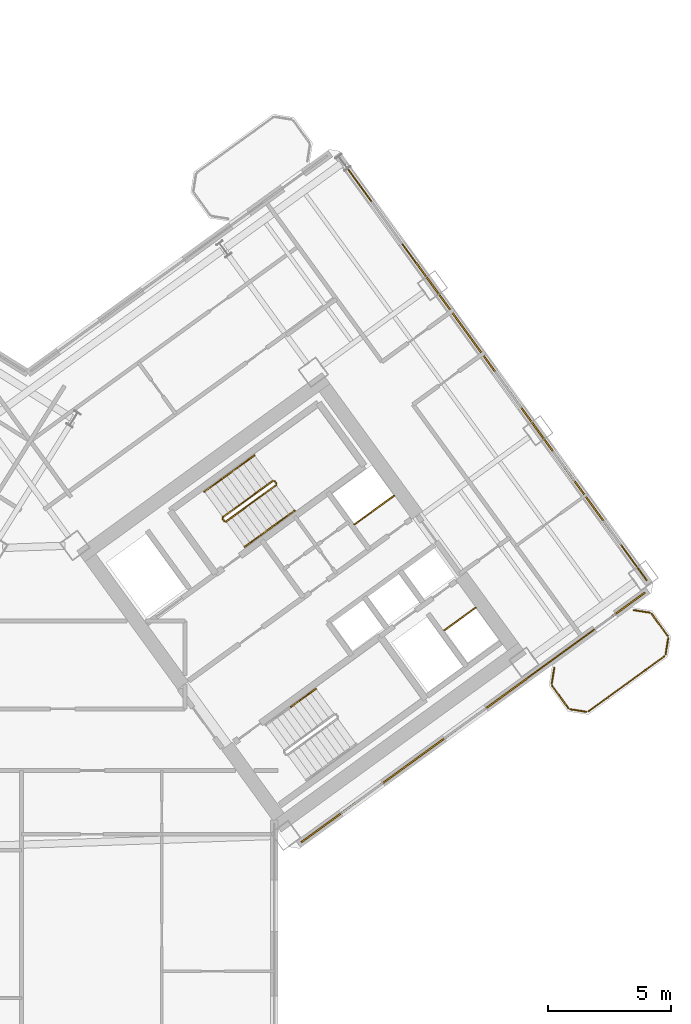
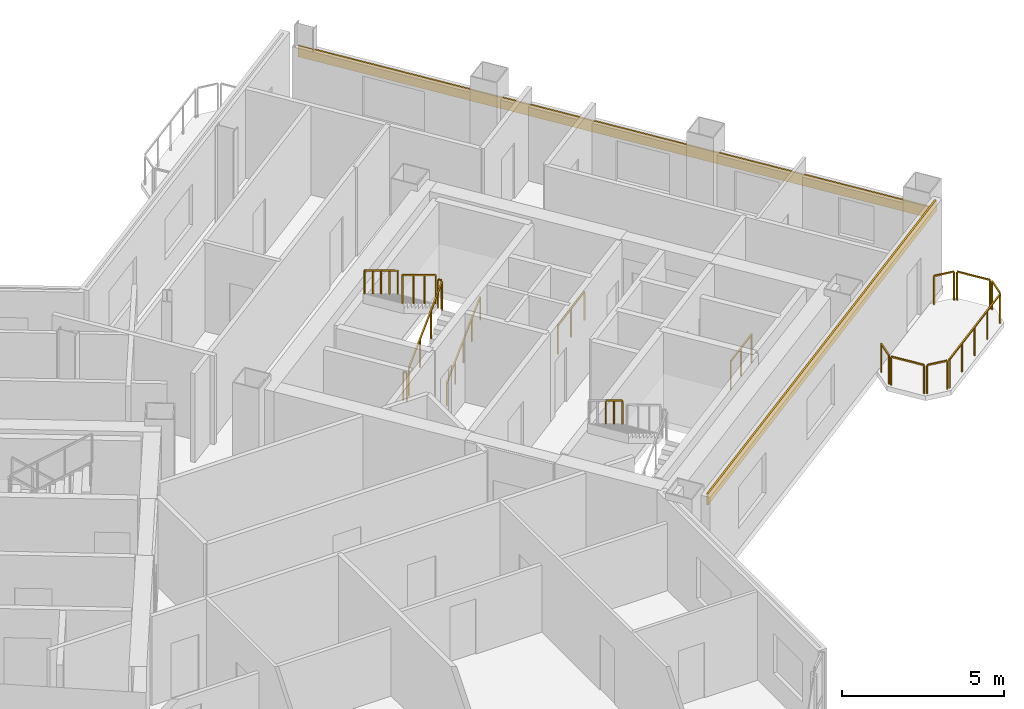
# One storey, part 20 of 21: 18 railings, 2 coverings.
"""IFC4 building model written with IfcOpenShell, lengths in metres."""

from ifc_helpers import new_model, si_unit, direction, frame, origin, origin_2d, place, context, subcontext, project, spatial, rectangle, extrude, source, transform, mapped, material, layer, layer_set, type_object, element, save


model = new_model("IFC4")

# Units and contexts
model_context = context("Model", 3, precision=1e-05, world=origin(), true_north=direction((0.0, 1.0)))
body_context = subcontext(model_context, "Body", "Model", "MODEL_VIEW")
ifc_project = project(units=[si_unit("LENGTHUNIT", "METRE"), si_unit("AREAUNIT", "SQUARE_METRE"), si_unit("VOLUMEUNIT", "CUBIC_METRE"), si_unit("PLANEANGLEUNIT", "RADIAN"), si_unit("MASSUNIT", "GRAM", prefix="KILO")], contexts=[model_context])

# Site, building, storey
site_placement = place(None, origin())
site = spatial("IfcSite", under=ifc_project, at=site_placement, CompositionType="ELEMENT")
building_placement = place(site_placement, origin())
building = spatial("IfcBuilding", under=site, at=building_placement, Name="Tlacorven Tower", CompositionType="ELEMENT")
storey_placement = place(building_placement, frame((0.0, 0.0, 105.300048828125)))
storey = spatial("IfcBuildingStorey", under=building, at=storey_placement, Name="L26", CompositionType="ELEMENT", Elevation=105.300048828125)

# Railings
ifc_material_1 = material(Name="Aluminium and painted steel balustrade", Category="steel")
railing_type_1 = type_object("IfcRailingType", Name="RL-GRD-1100", PredefinedType="GUARDRAIL", material=ifc_material_1)
shared_shape_1 = source(origin(), body_context, "Body", "SweptSolid", [
    extrude(rectangle(XDim=0.048095703125, YDim=0.048095703125, at=origin_2d()), frame((0.0, 0.0, 1.076171875), z_axis=(0.808947177504, 0.587881334972, 0.0), x_axis=(-0.587881334972, 0.808947177504, 0.0)), (0.0, 0.0, 1.0), 2.0),
    extrude(rectangle(XDim=0.0419921875, YDim=0.0419921875, at=origin_2d()), origin(), (0.0, 0.0, 1.0), 1.052001953125),
    extrude(rectangle(XDim=0.0419921875, YDim=0.0419921875, at=origin_2d()), frame((0.80908203125, 0.587890625, 0.0)), (0.0, 0.0, 1.0), 1.052001953125),
    extrude(rectangle(XDim=0.0419921875, YDim=0.0419921875, at=origin_2d()), frame((1.617919921875, 1.17578125, 0.0)), (0.0, 0.0, 1.0), 1.052001953125),
])
railing_1_placement = place(storey_placement, frame((55.506103515625, 25.438232421875, 0.0)))
element("IfcRailing", 1, at=railing_1_placement, inside=storey, type_object=railing_type_1, Name="L26 Electrical Riser E Shaft Guard 1", PredefinedType="GUARDRAIL", context=body_context, shape_type="MappedRepresentation", body=[
    mapped(shared_shape_1, transform((0.0, 0.0, 0.0), scale=1.0)),
])
shared_shape_2 = source(origin(), body_context, "Body", "SweptSolid", [
    extrude(rectangle(XDim=0.048095703125, YDim=0.048095703125, at=origin_2d()), frame((0.0, 0.0, 1.076171875), z_axis=(0.809029975545, 0.58776738483, 0.0), x_axis=(-0.58776738483, 0.809029975545, 0.0)), (0.0, 0.0, 1.0), 1.580078125),
    extrude(rectangle(XDim=0.0419921875, YDim=0.0419921875, at=origin_2d()), origin(), (0.0, 0.0, 1.0), 1.052001953125),
    extrude(rectangle(XDim=0.0419921875, YDim=0.0419921875, at=origin_2d()), frame((0.63916015625, 0.46435546875, 0.0)), (0.0, 0.0, 1.0), 1.052001953125),
    extrude(rectangle(XDim=0.0419921875, YDim=0.0419921875, at=origin_2d()), frame((1.2783203125, 0.9287109375, 0.0)), (0.0, 0.0, 1.0), 1.052001953125),
])
railing_2_placement = place(storey_placement, frame((59.160888671875, 21.122314453125, 0.0)))
element("IfcRailing", 2, at=railing_2_placement, inside=storey, type_object=railing_type_1, Name="L26 Smoke Riser E Shaft Guard 1", PredefinedType="GUARDRAIL", context=body_context, shape_type="MappedRepresentation", body=[
    mapped(shared_shape_2, transform((0.0, 0.0, 0.0), scale=1.0)),
])
railing_type_2 = type_object("IfcRailingType", Name="RL-BAL-1100", PredefinedType="BALUSTRADE", material=ifc_material_1)
shared_shape_3 = source(origin(), body_context, "Body", "SweptSolid", [
    extrude(rectangle(XDim=0.048095703125, YDim=0.048095703125, at=origin_2d()), frame((0.0, 0.0, 1.076171875), z_axis=(0.156602868908, 0.987661653326, 0.0), x_axis=(-0.987661653326, 0.156602868908, 0.0)), (0.0, 0.0, 1.0), 0.665771484375),
    extrude(rectangle(XDim=0.0419921875, YDim=0.0419921875, at=origin_2d()), origin(), (0.0, 0.0, 1.0), 1.052001953125),
    extrude(rectangle(XDim=0.0419921875, YDim=0.0419921875, at=origin_2d()), frame((0.104248046875, 0.657470703125, 0.0)), (0.0, 0.0, 1.0), 1.052001953125),
])
railing_3_placement = place(storey_placement, frame((63.539306640625, 18.949951171875, 0.0)))
element("IfcRailing", 3, at=railing_3_placement, inside=storey, type_object=railing_type_2, Name="BAL-L26-E-OUT Guard Railing 3", PredefinedType="BALUSTRADE", context=body_context, shape_type="MappedRepresentation", body=[
    mapped(shared_shape_3, transform((0.0, 0.0, 0.0), scale=1.0)),
])
shared_shape_4 = source(origin(), body_context, "Body", "SweptSolid", [
    extrude(rectangle(XDim=0.048095703125, YDim=0.048095703125, at=origin_2d()), frame((0.0, 0.0, 1.076171875), z_axis=(0.58788449985, -0.808944877501, 0.0), x_axis=(0.808944877501, 0.58788449985, 0.0)), (0.0, 0.0, 1.0), 1.112060546875),
    extrude(rectangle(XDim=0.0419921875, YDim=0.0419921875, at=origin_2d()), origin(), (0.0, 0.0, 1.0), 1.052001953125),
    extrude(rectangle(XDim=0.0419921875, YDim=0.0419921875, at=origin_2d()), frame((0.65380859375, -0.899658203125, 0.0)), (0.0, 0.0, 1.0), 1.052001953125),
])
railing_4_placement = place(storey_placement, frame((67.60595703125, 21.799072265625, 0.0)))
element("IfcRailing", 4, at=railing_4_placement, inside=storey, type_object=railing_type_2, Name="BAL-L26-E-OUT Guard Railing 5", PredefinedType="BALUSTRADE", context=body_context, shape_type="MappedRepresentation", body=[
    mapped(shared_shape_4, transform((0.0, 0.0, 0.0), scale=1.0)),
])
shared_shape_5 = source(origin(), body_context, "Body", "SweptSolid", [
    extrude(rectangle(XDim=0.048095703125, YDim=0.048095703125, at=origin_2d()), frame((0.0, 0.0, 1.076171875), z_axis=(-0.809018102573, -0.587783726986, 0.0), x_axis=(0.587783726986, -0.809018102573, 0.0)), (0.0, 0.0, 1.0), 3.817138671875),
    extrude(rectangle(XDim=0.0419921875, YDim=0.0419921875, at=origin_2d()), origin(), (0.0, 0.0, 1.0), 1.052001953125),
    extrude(rectangle(XDim=0.0419921875, YDim=0.0419921875, at=origin_2d()), frame((-0.77197265625, -0.56103515625, 0.0)), (0.0, 0.0, 1.0), 1.052001953125),
    extrude(rectangle(XDim=0.0419921875, YDim=0.0419921875, at=origin_2d()), frame((-1.5439453125, -1.121826171875, 0.0)), (0.0, 0.0, 1.0), 1.052001953125),
    extrude(rectangle(XDim=0.0419921875, YDim=0.0419921875, at=origin_2d()), frame((-2.316162109375, -1.6826171875, 0.0)), (0.0, 0.0, 1.0), 1.052001953125),
    extrude(rectangle(XDim=0.0419921875, YDim=0.0419921875, at=origin_2d()), frame((-3.088134765625, -2.24365234375, 0.0)), (0.0, 0.0, 1.0), 1.052001953125),
])
railing_5_placement = place(storey_placement, frame((68.12890625, 20.0732421875, 0.0)))
element("IfcRailing", 5, at=railing_5_placement, inside=storey, type_object=railing_type_2, Name="BAL-L26-E-OUT Guard Railing 7", PredefinedType="BALUSTRADE", context=body_context, shape_type="MappedRepresentation", body=[
    mapped(shared_shape_5, transform((0.0, 0.0, 0.0), scale=1.0)),
])
shared_shape_6 = source(origin(), body_context, "Body", "SweptSolid", [
    extrude(rectangle(XDim=0.048095703125, YDim=0.048095703125, at=origin_2d()), frame((0.0, 0.0, 1.076171875), z_axis=(-0.987718317463, 0.156245081039, 0.0), x_axis=(-0.156245081039, -0.987718317463, 0.0)), (0.0, 0.0, 1.0), 0.66552734375),
    extrude(rectangle(XDim=0.0419921875, YDim=0.0419921875, at=origin_2d()), origin(), (0.0, 0.0, 1.0), 1.052001953125),
    extrude(rectangle(XDim=0.0419921875, YDim=0.0419921875, at=origin_2d()), frame((-0.657470703125, 0.10400390625, 0.0)), (0.0, 0.0, 1.0), 1.052001953125),
])
railing_6_placement = place(storey_placement, frame((64.950927734375, 17.80810546875, 0.0)))
element("IfcRailing", 6, at=railing_6_placement, inside=storey, type_object=railing_type_2, Name="BAL-L26-E-OUT Guard Railing 1", PredefinedType="BALUSTRADE", context=body_context, shape_type="MappedRepresentation", body=[
    mapped(shared_shape_6, transform((0.0, 0.0, 0.0), scale=1.0)),
])
shared_shape_7 = source(origin(), body_context, "Body", "SweptSolid", [
    extrude(rectangle(XDim=0.048095703125, YDim=0.048095703125, at=origin_2d()), frame((0.0, 0.0, 1.076171875), z_axis=(-0.587740817519, 0.809049276263, 0.0), x_axis=(-0.809049276263, -0.587740817519, 0.0)), (0.0, 0.0, 1.0), 1.112060546875),
    extrude(rectangle(XDim=0.0419921875, YDim=0.0419921875, at=origin_2d()), origin(), (0.0, 0.0, 1.0), 1.052001953125),
    extrude(rectangle(XDim=0.0419921875, YDim=0.0419921875, at=origin_2d()), frame((-0.653564453125, 0.899658203125, 0.0)), (0.0, 0.0, 1.0), 1.052001953125),
])
railing_7_placement = place(storey_placement, frame((64.214599609375, 17.96044921875, 0.0)))
element("IfcRailing", 7, at=railing_7_placement, inside=storey, type_object=railing_type_2, Name="BAL-L26-E-OUT Guard Railing 2", PredefinedType="BALUSTRADE", context=body_context, shape_type="MappedRepresentation", body=[
    mapped(shared_shape_7, transform((0.0, 0.0, 0.0), scale=1.0)),
])
shared_shape_8 = source(origin(), body_context, "Body", "SweptSolid", [
    extrude(rectangle(XDim=0.048095703125, YDim=0.048095703125, at=origin_2d()), frame((0.0, 0.0, 1.076171875), z_axis=(-0.156245081039, -0.987718317463, 0.0), x_axis=(0.987718317463, -0.156245081039, 0.0)), (0.0, 0.0, 1.0), 0.66552734375),
    extrude(rectangle(XDim=0.0419921875, YDim=0.0419921875, at=origin_2d()), origin(), (0.0, 0.0, 1.0), 1.052001953125),
    extrude(rectangle(XDim=0.0419921875, YDim=0.0419921875, at=origin_2d()), frame((-0.10400390625, -0.657470703125, 0.0)), (0.0, 0.0, 1.0), 1.052001953125),
])
railing_8_placement = place(storey_placement, frame((68.28125, 20.8095703125, 0.0)))
element("IfcRailing", 8, at=railing_8_placement, inside=storey, type_object=railing_type_2, Name="BAL-L26-E-OUT Guard Railing 6", PredefinedType="BALUSTRADE", context=body_context, shape_type="MappedRepresentation", body=[
    mapped(shared_shape_8, transform((0.0, 0.0, 0.0), scale=1.0)),
])

# Coverings
ifc_material_2 = material(Name="Precast concrete C45/55", Category="concrete")
ifc_layer = layer(ifc_material_2, 0.06005859375)
ifc_layer_set = layer_set([ifc_layer], Name="Precast concrete C45/55")
covering_type = type_object("IfcCoveringType", Name="CV-CLD-TERC", PredefinedType="CLADDING", material=ifc_layer_set)
shared_shape_9 = source(origin(), body_context, "Body", "SweptSolid", [
    extrude(rectangle(XDim=21.287353515625, YDim=0.06005859375, at=origin_2d()), origin(), (0.0, 0.0, 1.0), 0.419921875),
])
covering_1_placement = place(storey_placement, frame((61.15478515625, 31.767333984375, 2.35498046875), z_axis=(0.0, 0.0, 1.0), x_axis=(0.587785363163, -0.809016913823, 0.0)))
element("IfcCovering", 9, at=covering_1_placement, inside=storey, type_object=covering_type, Name="L26 Masonry-Frame Spandrel Cladding 5", PredefinedType="CLADDING", context=body_context, shape_type="MappedRepresentation", body=[
    mapped(shared_shape_9, transform((0.0, 0.0, 0.0), scale=1.0)),
])
shared_shape_10 = source(origin(), body_context, "Body", "SweptSolid", [
    extrude(rectangle(XDim=17.287353515625, YDim=0.06005859375, at=origin_2d()), origin(), (0.0, 0.0, 1.0), 0.419921875),
])
covering_2_placement = place(storey_placement, frame((60.339111328125, 17.578125, 2.929931640625), z_axis=(0.0, 0.0, 1.0), x_axis=(-0.809016829126, -0.587785479738, 0.0)))
element("IfcCovering", 10, at=covering_2_placement, inside=storey, type_object=covering_type, Name="L26 Masonry-Frame Spandrel Cladding 6", PredefinedType="CLADDING", context=body_context, shape_type="MappedRepresentation", body=[
    mapped(shared_shape_10, transform((0.0, 0.0, 0.0), scale=1.0)),
])

# Railings
shared_shape_11 = source(origin(), body_context, "Body", "SweptSolid", [
    extrude(rectangle(XDim=0.048095703125, YDim=0.048095703125, at=origin_2d()), frame((0.0, 0.0, 1.076171875), z_axis=(0.987727266442, -0.156188498702, 0.0), x_axis=(0.156188498702, 0.987727266442, 0.0)), (0.0, 0.0, 1.0), 0.665771484375),
    extrude(rectangle(XDim=0.0419921875, YDim=0.0419921875, at=origin_2d()), origin(), (0.0, 0.0, 1.0), 1.052001953125),
    extrude(rectangle(XDim=0.0419921875, YDim=0.0419921875, at=origin_2d()), frame((0.65771484375, -0.10400390625, 0.0)), (0.0, 0.0, 1.0), 1.052001953125),
])
railing_9_placement = place(storey_placement, frame((66.86962890625, 21.951416015625, 0.0)))
element("IfcRailing", 11, at=railing_9_placement, inside=storey, type_object=railing_type_2, Name="BAL-L26-E-OUT Guard Railing 4", PredefinedType="BALUSTRADE", context=body_context, shape_type="MappedRepresentation", body=[
    mapped(shared_shape_11, transform((0.0, 0.0, 0.0), scale=1.0)),
])
shared_shape_12 = source(origin(), body_context, "Body", "SweptSolid", [
    extrude(rectangle(XDim=0.048095703125, YDim=0.048095703125, at=origin_2d()), frame((0.0, 0.0, 1.076171875), z_axis=(-0.587201422542, 0.809440849824, 0.0), x_axis=(-0.809440849824, -0.587201422542, 0.0)), (0.0, 0.0, 1.0), 0.11962890625),
    extrude(rectangle(XDim=0.0419921875, YDim=0.0419921875, at=origin_2d()), origin(), (0.0, 0.0, 1.0), 1.052001953125),
    extrude(rectangle(XDim=0.0419921875, YDim=0.0419921875, at=origin_2d()), frame((-0.0703125, 0.096923828125, 0.0)), (0.0, 0.0, 1.0), 1.052001953125),
])
for number, where, name in (
    (12, (52.326904296875, 27.10888671875, 1.800048828125), "L26 ST-E1 stair guard 2"),
    (13, (50.207275390625, 25.56884765625, 0.0), "L26 ST-E1 stair guard 4"),
):
    element("IfcRailing", number, at=place(storey_placement, frame(where)), inside=storey, type_object=railing_type_1, Name=name, PredefinedType="GUARDRAIL", context=body_context, shape_type="MappedRepresentation", body=[
        mapped(shared_shape_12, transform((0.0, 0.0, 0.0), scale=1.0)),
    ])
shared_shape_13 = source(origin(), body_context, "Body", "SweptSolid", [
    extrude(rectangle(XDim=0.048095703125, YDim=0.048095703125, at=origin_2d()), frame((0.0, 0.0, 1.076171875), z_axis=(0.680488636597, 0.494434078831, 0.540805100894), x_axis=(-0.5878087079, 0.808999952359, 0.0)), (0.0, 0.0, 1.0), 2.995849609375),
    extrude(rectangle(XDim=0.0419921875, YDim=0.0419921875, at=origin_2d()), origin(), (0.0, 0.0, 1.0), 1.052001953125),
    extrude(rectangle(XDim=0.0419921875, YDim=0.0419921875, at=origin_2d()), frame((0.679443359375, 0.49365234375, 0.5400390625)), (0.0, 0.0, 1.0), 1.052001953125),
    extrude(rectangle(XDim=0.0419921875, YDim=0.0419921875, at=origin_2d()), frame((1.359130859375, 0.987548828125, 1.080078125)), (0.0, 0.0, 1.0), 1.052001953125),
    extrude(rectangle(XDim=0.0419921875, YDim=0.0419921875, at=origin_2d()), frame((2.03857421875, 1.481201171875, 1.6201171875)), (0.0, 0.0, 1.0), 1.052001953125),
])
railing_10_placement = place(storey_placement, frame((50.27734375, 25.557861328125, 0.179931640625)))
element("IfcRailing", 14, at=railing_10_placement, inside=storey, type_object=railing_type_1, Name="L26 ST-E1 stair guard 1", PredefinedType="GUARDRAIL", context=body_context, shape_type="MappedRepresentation", body=[
    mapped(shared_shape_13, transform((0.0, 0.0, 0.0), scale=1.0)),
])
railing_type_3 = type_object("IfcRailingType", Name="RL-HND-0900", PredefinedType="HANDRAIL", material=ifc_material_1)
shared_shape_14 = source(origin(), body_context, "Body", "SweptSolid", [
    extrude(rectangle(XDim=0.048095703125, YDim=0.048095703125, at=origin_2d()), frame((0.0, 0.0, 0.8759765625), z_axis=(0.680516055757, 0.494372502302, 0.540826891737), x_axis=(-0.587745292299, 0.809046025502, 0.0)), (0.0, 0.0, 1.0), 1.497802734375),
    extrude(rectangle(XDim=0.0419921875, YDim=0.0419921875, at=origin_2d()), origin(), (0.0, 0.0, 1.0), 0.851806640625),
    extrude(rectangle(XDim=0.0419921875, YDim=0.0419921875, at=origin_2d()), frame((0.509765625, 0.3701171875, 0.405029296875)), (0.0, 0.0, 1.0), 0.851806640625),
    extrude(rectangle(XDim=0.0419921875, YDim=0.0419921875, at=origin_2d()), frame((1.019287109375, 0.740478515625, 0.81005859375)), (0.0, 0.0, 1.0), 0.851806640625),
])
railing_11_placement = place(storey_placement, frame((51.029541015625, 24.522216796875, 0.179931640625)))
element("IfcRailing", 15, at=railing_11_placement, inside=storey, type_object=railing_type_3, Name="L26 ST-E1 stair handrail 1", PredefinedType="HANDRAIL", context=body_context, shape_type="MappedRepresentation", body=[
    mapped(shared_shape_14, transform((0.0, 0.0, 0.0), scale=1.0)),
])
shared_shape_15 = source(origin(), body_context, "Body", "SweptSolid", [
    extrude(rectangle(XDim=0.048095703125, YDim=0.048095703125, at=origin_2d()), frame((0.0, 0.0, 0.8759765625), z_axis=(0.680548719995, 0.49444080854, 0.540723336433), x_axis=(-0.587779977844, 0.80902082646, 0.0)), (0.0, 0.0, 1.0), 1.498046875),
    extrude(rectangle(XDim=0.0419921875, YDim=0.0419921875, at=origin_2d()), origin(), (0.0, 0.0, 1.0), 0.851806640625),
    extrude(rectangle(XDim=0.0419921875, YDim=0.0419921875, at=origin_2d()), frame((0.509765625, 0.370361328125, 0.405029296875)), (0.0, 0.0, 1.0), 0.851806640625),
    extrude(rectangle(XDim=0.0419921875, YDim=0.0419921875, at=origin_2d()), frame((1.01953125, 0.74072265625, 0.81005859375)), (0.0, 0.0, 1.0), 0.851806640625),
])
railing_12_placement = place(storey_placement, frame((52.048828125, 25.2626953125, 0.989990234375)))
element("IfcRailing", 16, at=railing_12_placement, inside=storey, type_object=railing_type_3, Name="L26 ST-E1 stair handrail 2", PredefinedType="HANDRAIL", context=body_context, shape_type="MappedRepresentation", body=[
    mapped(shared_shape_15, transform((0.0, 0.0, 0.0), scale=1.0)),
])
shared_shape_16 = source(origin(), body_context, "Body", "SweptSolid", [
    extrude(rectangle(XDim=0.048095703125, YDim=0.048095703125, at=origin_2d()), frame((0.0, 0.0, 0.8759765625), z_axis=(-0.680603554404, -0.494317667746, 0.540766904577), x_axis=(0.587653156371, -0.809112951205, 0.0)), (0.0, 0.0, 1.0), 1.498046875),
    extrude(rectangle(XDim=0.0419921875, YDim=0.0419921875, at=origin_2d()), origin(), (0.0, 0.0, 1.0), 0.851806640625),
    extrude(rectangle(XDim=0.0419921875, YDim=0.0419921875, at=origin_2d()), frame((-0.509765625, -0.3701171875, 0.405029296875)), (0.0, 0.0, 1.0), 0.851806640625),
    extrude(rectangle(XDim=0.0419921875, YDim=0.0419921875, at=origin_2d()), frame((-1.01953125, -0.740478515625, 0.81005859375)), (0.0, 0.0, 1.0), 0.851806640625),
])
railing_13_placement = place(storey_placement, frame((51.434326171875, 28.25244140625, 1.97998046875)))
element("IfcRailing", 17, at=railing_13_placement, inside=storey, type_object=railing_type_3, Name="L26 ST-E1 stair handrail 3", PredefinedType="HANDRAIL", context=body_context, shape_type="MappedRepresentation", body=[
    mapped(shared_shape_16, transform((0.0, 0.0, 0.0), scale=1.0)),
])
shared_shape_17 = source(origin(), body_context, "Body", "SweptSolid", [
    extrude(rectangle(XDim=0.048095703125, YDim=0.048095703125, at=origin_2d()), frame((0.0, 0.0, 1.076171875), z_axis=(-0.680518627673, -0.494455869951, 0.540747436481), x_axis=(0.5878087079, -0.808999952359, 0.0)), (0.0, 0.0, 1.0), 2.99560546875),
    extrude(rectangle(XDim=0.0419921875, YDim=0.0419921875, at=origin_2d()), origin(), (0.0, 0.0, 1.0), 1.052001953125),
    extrude(rectangle(XDim=0.0419921875, YDim=0.0419921875, at=origin_2d()), frame((-0.679443359375, -0.49365234375, 0.5400390625)), (0.0, 0.0, 1.0), 1.052001953125),
    extrude(rectangle(XDim=0.0419921875, YDim=0.0419921875, at=origin_2d()), frame((-1.359130859375, -0.987548828125, 1.079833984375)), (0.0, 0.0, 1.0), 1.052001953125),
    extrude(rectangle(XDim=0.0419921875, YDim=0.0419921875, at=origin_2d()), frame((-2.03857421875, -1.481201171875, 1.619873046875)), (0.0, 0.0, 1.0), 1.052001953125),
])
railing_14_placement = place(storey_placement, frame((52.1865234375, 27.217041015625, 1.97998046875)))
element("IfcRailing", 18, at=railing_14_placement, inside=storey, type_object=railing_type_1, Name="L26 ST-E1 stair guard 3", PredefinedType="GUARDRAIL", context=body_context, shape_type="MappedRepresentation", body=[
    mapped(shared_shape_17, transform((0.0, 0.0, 0.0), scale=1.0)),
])
shared_shape_18 = source(origin(), body_context, "Body", "SweptSolid", [
    extrude(rectangle(XDim=0.048095703125, YDim=0.048095703125, at=origin_2d()), frame((0.0, 0.0, 0.8759765625), z_axis=(-0.680521190579, -0.494539231669, 0.540667973449), x_axis=(0.587872112667, -0.808953879494, 0.0)), (0.0, 0.0, 1.0), 1.497802734375),
    extrude(rectangle(XDim=0.0419921875, YDim=0.0419921875, at=origin_2d()), origin(), (0.0, 0.0, 1.0), 0.851806640625),
    extrude(rectangle(XDim=0.0419921875, YDim=0.0419921875, at=origin_2d()), frame((-0.509765625, -0.370361328125, 0.40478515625)), (0.0, 0.0, 1.0), 0.851806640625),
    extrude(rectangle(XDim=0.0419921875, YDim=0.0419921875, at=origin_2d()), frame((-1.019287109375, -0.74072265625, 0.809814453125)), (0.0, 0.0, 1.0), 0.851806640625),
])
railing_15_placement = place(storey_placement, frame((50.414794921875, 27.511962890625, 2.7900390625)))
element("IfcRailing", 19, at=railing_15_placement, inside=storey, type_object=railing_type_3, Name="L26 ST-E1 stair handrail 4", PredefinedType="HANDRAIL", context=body_context, shape_type="MappedRepresentation", body=[
    mapped(shared_shape_18, transform((0.0, 0.0, 0.0), scale=1.0)),
])
shared_shape_19 = source(origin(), body_context, "Body", "SweptSolid", [
    extrude(rectangle(XDim=0.048095703125, YDim=0.048095703125, at=origin_2d()), frame((0.0, 0.0, 0.8759765625), z_axis=(-0.680516055757, -0.494372502302, 0.540826891737), x_axis=(0.587745292299, -0.809046025502, 0.0)), (0.0, 0.0, 1.0), 1.497802734375),
    extrude(rectangle(XDim=0.0419921875, YDim=0.0419921875, at=origin_2d()), origin(), (0.0, 0.0, 1.0), 0.851806640625),
    extrude(rectangle(XDim=0.0419921875, YDim=0.0419921875, at=origin_2d()), frame((-0.509765625, -0.3701171875, 0.405029296875)), (0.0, 0.0, 1.0), 0.851806640625),
    extrude(rectangle(XDim=0.0419921875, YDim=0.0419921875, at=origin_2d()), frame((-1.019287109375, -0.740478515625, 0.81005859375)), (0.0, 0.0, 1.0), 0.851806640625),
])
railing_16_placement = place(storey_placement, frame((53.938232421875, 18.749267578125, 1.97998046875)))
element("IfcRailing", 20, at=railing_16_placement, inside=storey, type_object=railing_type_3, Name="L26 ST-E2 stair handrail 3", PredefinedType="HANDRAIL", context=body_context, shape_type="MappedRepresentation", body=[
    mapped(shared_shape_19, transform((0.0, 0.0, 0.0), scale=1.0)),
])

save(model, "model.ifc")
